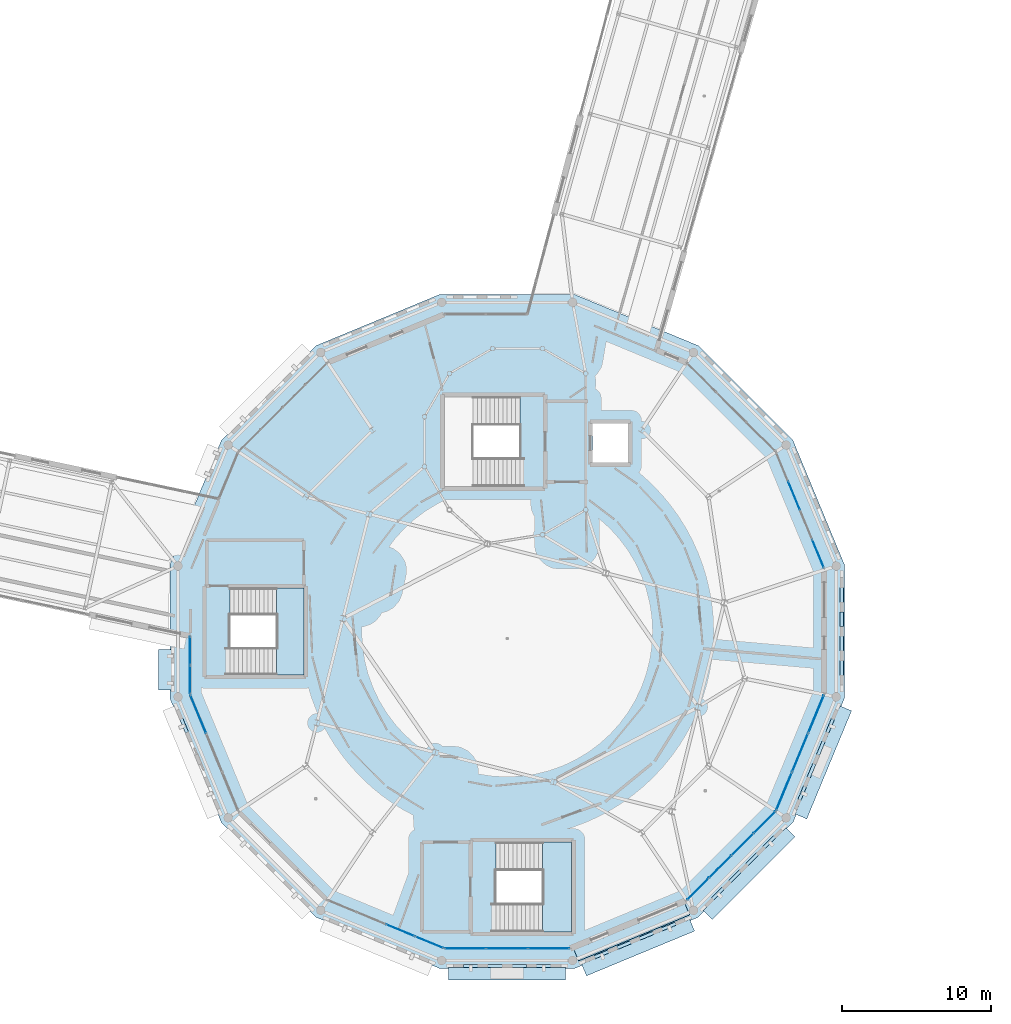
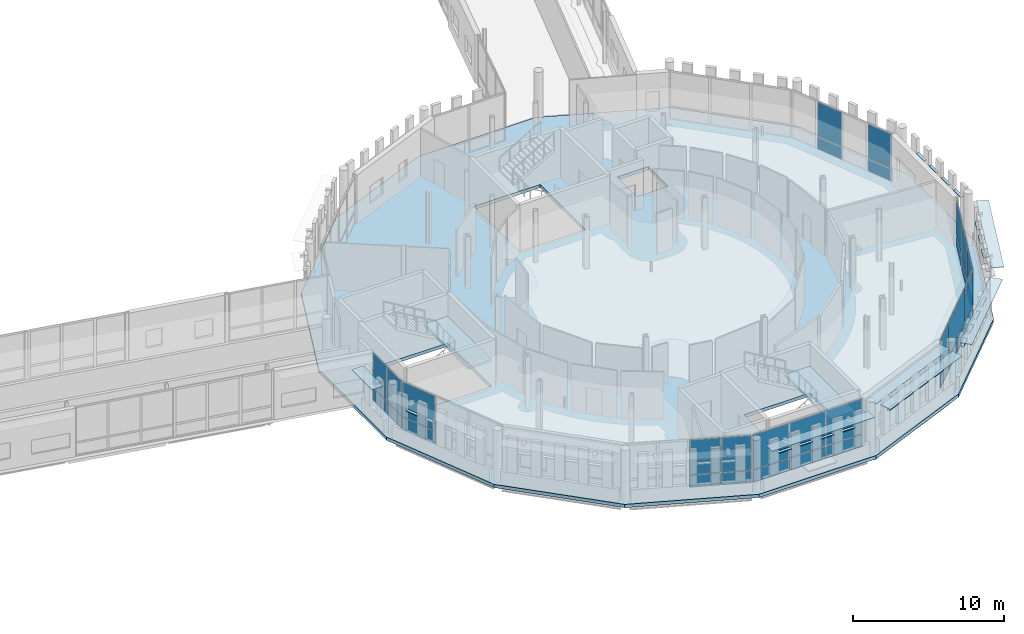
# One storey, part 79 of 125: 61 plates, 3 slabs, 9 elements without a shape of their own.
"""IFC4 building model written with IfcOpenShell, lengths in metres."""

from ifc_helpers import new_model, si_unit, direction, frame, origin, origin_2d, place, context, subcontext, project, spatial, polyline, rectangle, outline, extrude, material, layer, layer_set, type_object, element, aggregate, save


model = new_model("IFC4")

# Units and contexts
model_context = context("Model", 3, precision=1e-05, world=origin(), true_north=direction((0.0, 1.0)))
body_context = subcontext(model_context, "Body", "Model", "MODEL_VIEW")
ifc_project = project(units=[si_unit("LENGTHUNIT", "METRE"), si_unit("AREAUNIT", "SQUARE_METRE"), si_unit("VOLUMEUNIT", "CUBIC_METRE"), si_unit("PLANEANGLEUNIT", "RADIAN"), si_unit("MASSUNIT", "GRAM", prefix="KILO")], contexts=[model_context])

# Site, building, storey
site_placement = place(None, origin())
site = spatial("IfcSite", under=ifc_project, at=site_placement, CompositionType="ELEMENT")
building_placement = place(site_placement, origin())
building = spatial("IfcBuilding", under=site, at=building_placement, Name="Wrenclough Park School", CompositionType="ELEMENT")
storey_placement = place(building_placement, frame((0.0, 0.0, 4.199951171875)))
storey = spatial("IfcBuildingStorey", under=building, at=storey_placement, Name="L01", CompositionType="ELEMENT", Elevation=4.199951171875)

# Curtain wall, plates
ifc_material_1 = material(Name="Thermally broken aluminium and low-e glass curtain wall", Category="aluminium")
curtain_wall_type_1 = type_object("IfcCurtainWallType", Name="ENV-CW-13", PredefinedType="USERDEFINED", material=ifc_material_1)
curtain_wall_1_placement = place(storey_placement, origin())
curtain_wall_1 = element("IfcCurtainWall", 1, at=curtain_wall_1_placement, inside=storey, type_object=curtain_wall_type_1, Name="L01 recessed curtain wall assembly 124", ObjectType="CURTAIN WALL", PredefinedType="USERDEFINED")
ifc_material_2 = material(Name="Double-glazed solar-control low-e glass", Category="glass")
ifc_layer_1 = layer(ifc_material_2, 0.02587890625)
ifc_layer_set_1 = layer_set([ifc_layer_1], Name="Double-glazed solar-control low-e glass")
plate_type_1 = type_object("IfcPlateType", Name="ENV-CWP-GL26", PredefinedType="CURTAIN_PANEL", material=ifc_layer_set_1)
plate_1_placement = place(storey_placement, frame((174.694091796875, 35.591064453125, 0.06494140625), z_axis=(0.0, 0.0, 1.0), x_axis=(0.382686670549, -0.923878191205, 0.0)))
plate_1 = element("IfcPlate", 2, at=plate_1_placement, type_object=plate_type_1, Name="CW-13 panel 2.1", PredefinedType="CURTAIN_PANEL", context=body_context, shape_type="SweptSolid", body=[
    extrude(rectangle(XDim=2.042724609375, YDim=0.02587890625, at=origin_2d()), origin(), (0.0, 0.0, 1.0), 0.952392578125),
])
plate_2_placement = place(storey_placement, frame((174.694091796875, 35.591064453125, 1.08251953125), z_axis=(0.0, 0.0, 1.0), x_axis=(0.382686670549, -0.923878191205, 0.0)))
plate_2 = element("IfcPlate", 3, at=plate_2_placement, type_object=plate_type_1, Name="CW-13 panel 2.2", PredefinedType="CURTAIN_PANEL", context=body_context, shape_type="SweptSolid", body=[
    extrude(rectangle(XDim=2.042724609375, YDim=0.02587890625, at=origin_2d()), origin(), (0.0, 0.0, 1.0), 2.79248046875),
])
plate_3_placement = place(storey_placement, frame((176.301025390625, 31.711669921875, 0.06494140625), z_axis=(0.0, 0.0, 1.0), x_axis=(0.382686670549, -0.923878191205, 0.0)))
plate_3 = element("IfcPlate", 4, at=plate_3_placement, type_object=plate_type_1, Name="CW-13 panel 4.1", PredefinedType="CURTAIN_PANEL", context=body_context, shape_type="SweptSolid", body=[
    extrude(rectangle(XDim=2.01025390625, YDim=0.02587890625, at=origin_2d()), origin(), (0.0, 0.0, 1.0), 0.952392578125),
])
plate_4_placement = place(storey_placement, frame((176.301025390625, 31.711669921875, 1.08251953125), z_axis=(0.0, 0.0, 1.0), x_axis=(0.382686670549, -0.923878191205, 0.0)))
plate_4 = element("IfcPlate", 5, at=plate_4_placement, type_object=plate_type_1, Name="CW-13 panel 4.2", PredefinedType="CURTAIN_PANEL", context=body_context, shape_type="SweptSolid", body=[
    extrude(rectangle(XDim=2.01025390625, YDim=0.02587890625, at=origin_2d()), origin(), (0.0, 0.0, 1.0), 2.79248046875),
])
aggregate(curtain_wall_1, [plate_1, plate_2, plate_3, plate_4])

curtain_wall_type_2 = type_object("IfcCurtainWallType", Name="ENV-CW-01", PredefinedType="USERDEFINED", material=ifc_material_1)
curtain_wall_2_placement = place(storey_placement, origin())
curtain_wall_2 = element("IfcCurtainWall", 6, at=curtain_wall_2_placement, inside=storey, type_object=curtain_wall_type_2, Name="L01 recessed curtain wall assembly 128", ObjectType="CURTAIN WALL", PredefinedType="USERDEFINED")
plate_5_placement = place(storey_placement, frame((150.287109375, 5.699462890625, 0.06982421875), z_axis=(0.0, 0.0, 1.0), x_axis=(-0.923878191205, 0.382686670549, 0.0)))
plate_5 = element("IfcPlate", 7, at=plate_5_placement, type_object=plate_type_1, Name="CW-01 panel 1.1", PredefinedType="CURTAIN_PANEL", context=body_context, shape_type="SweptSolid", body=[
    extrude(rectangle(XDim=2.002685546875, YDim=0.02587890625, at=origin_2d()), origin(), (0.0, 0.0, 1.0), 0.945068359375),
])
plate_6_placement = place(storey_placement, frame((150.287109375, 5.699462890625, 1.0849609375), z_axis=(0.0, 0.0, 1.0), x_axis=(-0.923878191205, 0.382686670549, 0.0)))
plate_6 = element("IfcPlate", 8, at=plate_6_placement, type_object=plate_type_1, Name="CW-01 panel 1.2", PredefinedType="CURTAIN_PANEL", context=body_context, shape_type="SweptSolid", body=[
    extrude(rectangle(XDim=2.002685546875, YDim=0.02587890625, at=origin_2d()), origin(), (0.0, 0.0, 1.0), 2.784912109375),
])
plate_7_placement = place(storey_placement, frame((148.356201171875, 6.499267578125, 0.06982421875), z_axis=(0.0, 0.0, 1.0), x_axis=(-0.923878191205, 0.382686670549, 0.0)))
plate_7 = element("IfcPlate", 9, at=plate_7_placement, type_object=plate_type_1, Name="CW-01 panel 2.1", PredefinedType="CURTAIN_PANEL", context=body_context, shape_type="SweptSolid", body=[
    extrude(rectangle(XDim=2.03759765625, YDim=0.02587890625, at=origin_2d()), origin(), (0.0, 0.0, 1.0), 0.945068359375),
])
plate_8_placement = place(storey_placement, frame((148.356201171875, 6.499267578125, 1.0849609375), z_axis=(0.0, 0.0, 1.0), x_axis=(-0.923878191205, 0.382686670549, 0.0)))
plate_8 = element("IfcPlate", 10, at=plate_8_placement, type_object=plate_type_1, Name="CW-01 panel 2.2", PredefinedType="CURTAIN_PANEL", context=body_context, shape_type="SweptSolid", body=[
    extrude(rectangle(XDim=2.03759765625, YDim=0.02587890625, at=origin_2d()), origin(), (0.0, 0.0, 1.0), 2.784912109375),
])
aggregate(curtain_wall_2, [plate_5, plate_6, plate_7, plate_8])

curtain_wall_type_3 = type_object("IfcCurtainWallType", Name="ENV-CW-02", PredefinedType="USERDEFINED", material=ifc_material_1)
curtain_wall_3_placement = place(storey_placement, origin())
curtain_wall_3 = element("IfcCurtainWall", 11, at=curtain_wall_3_placement, inside=storey, type_object=curtain_wall_type_3, Name="L01 recessed curtain wall assembly 129", ObjectType="CURTAIN WALL", PredefinedType="USERDEFINED")
ifc_material_3 = material(Name="Double-glazed acoustic low-e glass", Category="glass")
ifc_layer_2 = layer(ifc_material_3, 0.030029296875)
ifc_layer_set_2 = layer_set([ifc_layer_2], Name="Double-glazed acoustic low-e glass")
plate_type_2 = type_object("IfcPlateType", Name="ENV-CWP-GL30", PredefinedType="CURTAIN_PANEL", material=ifc_layer_set_2)
plate_9_placement = place(storey_placement, frame((134.832763671875, 20.965087890625, 0.06005859375), z_axis=(0.0, 0.0, 1.0), x_axis=(-0.382686670549, 0.923878191205, 0.0)))
plate_9 = element("IfcPlate", 12, at=plate_9_placement, type_object=plate_type_2, Name="CW-02 panel 3.1", PredefinedType="CURTAIN_PANEL", context=body_context, shape_type="SweptSolid", body=[
    extrude(rectangle(XDim=2.72021484375, YDim=0.030029296875, at=origin_2d()), origin(), (0.0, 0.0, 1.0), 0.9599609375),
])
plate_10_placement = place(storey_placement, frame((134.832763671875, 20.965087890625, 1.080078125), z_axis=(0.0, 0.0, 1.0), x_axis=(-0.382686670549, 0.923878191205, 0.0)))
plate_10 = element("IfcPlate", 13, at=plate_10_placement, type_object=plate_type_2, Name="CW-02 panel 3.2", PredefinedType="CURTAIN_PANEL", context=body_context, shape_type="SweptSolid", body=[
    extrude(rectangle(XDim=2.72021484375, YDim=0.030029296875, at=origin_2d()), origin(), (0.0, 0.0, 1.0), 2.800048828125),
])
aggregate(curtain_wall_3, [plate_9, plate_10])

curtain_wall_type_4 = type_object("IfcCurtainWallType", Name="ENV-CW-03", PredefinedType="USERDEFINED", material=ifc_material_1)
curtain_wall_4_placement = place(storey_placement, origin())
curtain_wall_4 = element("IfcCurtainWall", 14, at=curtain_wall_4_placement, inside=storey, type_object=curtain_wall_type_4, Name="L01 recessed curtain wall assembly 130", ObjectType="CURTAIN WALL", PredefinedType="USERDEFINED")
ifc_material_4 = material(Name="Triple-glazed senior-lab low-e glass", Category="glass")
ifc_layer_3 = layer(ifc_material_4, 0.033935546875)
ifc_layer_set_3 = layer_set([ifc_layer_3], Name="Triple-glazed senior-lab low-e glass")
plate_type_3 = type_object("IfcPlateType", Name="ENV-CWP-GL34", PredefinedType="CURTAIN_PANEL", material=ifc_layer_set_3)
plate_11_placement = place(storey_placement, frame((134.287841796875, 23.27880859375, 0.06494140625), z_axis=(0.0, 0.0, 1.0), x_axis=(0.0, 1.0, 0.0)))
plate_11 = element("IfcPlate", 15, at=plate_11_placement, type_object=plate_type_3, Name="CW-03 panel 1.1", PredefinedType="CURTAIN_PANEL", context=body_context, shape_type="SweptSolid", body=[
    extrude(rectangle(XDim=1.8583984375, YDim=0.033935546875, at=origin_2d()), origin(), (0.0, 0.0, 1.0), 0.952392578125),
])
plate_12_placement = place(storey_placement, frame((134.287841796875, 23.27880859375, 1.08251953125), z_axis=(0.0, 0.0, 1.0), x_axis=(0.0, 1.0, 0.0)))
plate_12 = element("IfcPlate", 16, at=plate_12_placement, type_object=plate_type_3, Name="CW-03 panel 1.2", PredefinedType="CURTAIN_PANEL", context=body_context, shape_type="SweptSolid", body=[
    extrude(rectangle(XDim=1.8583984375, YDim=0.033935546875, at=origin_2d()), origin(), (0.0, 0.0, 1.0), 2.79248046875),
])
plate_13_placement = place(storey_placement, frame((134.287841796875, 25.202392578125, 0.06494140625), z_axis=(0.0, 0.0, 1.0), x_axis=(0.0, 1.0, 0.0)))
plate_13 = element("IfcPlate", 17, at=plate_13_placement, type_object=plate_type_3, Name="CW-03 panel 2.1", PredefinedType="CURTAIN_PANEL", context=body_context, shape_type="SweptSolid", body=[
    extrude(rectangle(XDim=1.8583984375, YDim=0.033935546875, at=origin_2d()), origin(), (0.0, 0.0, 1.0), 0.952392578125),
])
plate_14_placement = place(storey_placement, frame((134.287841796875, 25.202392578125, 1.08251953125), z_axis=(0.0, 0.0, 1.0), x_axis=(0.0, 1.0, 0.0)))
plate_14 = element("IfcPlate", 18, at=plate_14_placement, type_object=plate_type_3, Name="CW-03 panel 2.2", PredefinedType="CURTAIN_PANEL", context=body_context, shape_type="SweptSolid", body=[
    extrude(rectangle(XDim=1.8583984375, YDim=0.033935546875, at=origin_2d()), origin(), (0.0, 0.0, 1.0), 2.79248046875),
])
aggregate(curtain_wall_4, [plate_11, plate_12, plate_13, plate_14])

curtain_wall_type_5 = type_object("IfcCurtainWallType", Name="ENV-CW-14", PredefinedType="USERDEFINED", material=ifc_material_1)
curtain_wall_5_placement = place(storey_placement, origin())
curtain_wall_5 = element("IfcCurtainWall", 19, at=curtain_wall_5_placement, inside=storey, type_object=curtain_wall_type_5, Name="L01 recessed curtain wall assembly 125", ObjectType="CURTAIN WALL", PredefinedType="USERDEFINED")
ifc_material_5 = material(Name="Insulated anodised aluminium spandrel panel", Category="aluminium")
ifc_layer_4 = layer(ifc_material_5, 0.0419921875)
ifc_layer_set_4 = layer_set([ifc_layer_4], Name="Insulated anodised aluminium spandrel panel")
plate_type_4 = type_object("IfcPlateType", Name="ENV-CWP-SP42", PredefinedType="CURTAIN_PANEL", material=ifc_layer_set_4)
plate_15_placement = place(storey_placement, frame((176.166259765625, 20.962646484375, 0.06982421875), z_axis=(0.0, 0.0, 1.0), x_axis=(-0.382686670549, -0.923878191205, 0.0)))
plate_15 = element("IfcPlate", 20, at=plate_15_placement, type_object=plate_type_4, Name="CW-14 panel 1.1", PredefinedType="CURTAIN_PANEL", context=body_context, shape_type="SweptSolid", body=[
    extrude(rectangle(XDim=2.705322265625, YDim=0.0419921875, at=origin_2d()), origin(), (0.0, 0.0, 1.0), 0.945068359375),
])
plate_16_placement = place(storey_placement, frame((176.166259765625, 20.962646484375, 1.0849609375), z_axis=(0.0, 0.0, 1.0), x_axis=(-0.382686670549, -0.923878191205, 0.0)))
plate_16 = element("IfcPlate", 21, at=plate_16_placement, type_object=plate_type_4, Name="CW-14 panel 1.2", PredefinedType="CURTAIN_PANEL", context=body_context, shape_type="SweptSolid", body=[
    extrude(rectangle(XDim=2.705322265625, YDim=0.0419921875, at=origin_2d()), origin(), (0.0, 0.0, 1.0), 2.784912109375),
])
plate_17_placement = place(storey_placement, frame((175.097412109375, 18.382568359375, 0.06982421875), z_axis=(0.0, 0.0, 1.0), x_axis=(-0.382686670549, -0.923878191205, 0.0)))
plate_17 = element("IfcPlate", 22, at=plate_17_placement, type_object=plate_type_4, Name="CW-14 panel 2.1", PredefinedType="CURTAIN_PANEL", context=body_context, shape_type="SweptSolid", body=[
    extrude(rectangle(XDim=2.740234375, YDim=0.0419921875, at=origin_2d()), origin(), (0.0, 0.0, 1.0), 0.945068359375),
])
plate_18_placement = place(storey_placement, frame((175.097412109375, 18.382568359375, 1.0849609375), z_axis=(0.0, 0.0, 1.0), x_axis=(-0.382686670549, -0.923878191205, 0.0)))
plate_18 = element("IfcPlate", 23, at=plate_18_placement, type_object=plate_type_4, Name="CW-14 panel 2.2", PredefinedType="CURTAIN_PANEL", context=body_context, shape_type="SweptSolid", body=[
    extrude(rectangle(XDim=2.740234375, YDim=0.0419921875, at=origin_2d()), origin(), (0.0, 0.0, 1.0), 2.784912109375),
])
plate_19_placement = place(storey_placement, frame((174.02880859375, 15.802490234375, 0.06982421875), z_axis=(0.0, 0.0, 1.0), x_axis=(-0.382686670549, -0.923878191205, 0.0)))
plate_19 = element("IfcPlate", 24, at=plate_19_placement, type_object=plate_type_4, Name="CW-14 panel 3.1", PredefinedType="CURTAIN_PANEL", context=body_context, shape_type="SweptSolid", body=[
    extrude(rectangle(XDim=2.705322265625, YDim=0.0419921875, at=origin_2d()), origin(), (0.0, 0.0, 1.0), 0.945068359375),
])
plate_20_placement = place(storey_placement, frame((174.02880859375, 15.802490234375, 1.0849609375), z_axis=(0.0, 0.0, 1.0), x_axis=(-0.382686670549, -0.923878191205, 0.0)))
plate_20 = element("IfcPlate", 25, at=plate_20_placement, type_object=plate_type_4, Name="CW-14 panel 3.2", PredefinedType="CURTAIN_PANEL", context=body_context, shape_type="SweptSolid", body=[
    extrude(rectangle(XDim=2.705322265625, YDim=0.0419921875, at=origin_2d()), origin(), (0.0, 0.0, 1.0), 2.784912109375),
])
aggregate(curtain_wall_5, [plate_15, plate_16, plate_17, plate_18, plate_19, plate_20])

curtain_wall_type_6 = type_object("IfcCurtainWallType", Name="ENV-CW-15", PredefinedType="USERDEFINED", material=ifc_material_1)
curtain_wall_6_placement = place(storey_placement, origin())
curtain_wall_6 = element("IfcCurtainWall", 26, at=curtain_wall_6_placement, inside=storey, type_object=curtain_wall_type_6, Name="L01 recessed curtain wall assembly 126", ObjectType="CURTAIN WALL", PredefinedType="USERDEFINED")
ifc_material_6 = material(Name="Insulated patinated copper-toned spandrel panel", Category="aluminium")
ifc_layer_5 = layer(ifc_material_6, 0.048095703125)
ifc_layer_set_5 = layer_set([ifc_layer_5], Name="Insulated patinated copper-toned spandrel panel")
plate_type_5 = type_object("IfcPlateType", Name="ENV-CWP-SP48", PredefinedType="CURTAIN_PANEL", material=ifc_layer_set_5)
plate_21_placement = place(storey_placement, frame((172.72412109375, 13.725830078125, 0.06005859375), z_axis=(0.0, 0.0, 1.0), x_axis=(-0.707106781187, -0.707106781187, 0.0)))
plate_21 = element("IfcPlate", 27, at=plate_21_placement, type_object=plate_type_5, Name="CW-15 panel 1.1", PredefinedType="CURTAIN_PANEL", context=body_context, shape_type="SweptSolid", body=[
    extrude(rectangle(XDim=2.017822265625, YDim=0.048095703125, at=origin_2d()), origin(), (0.0, 0.0, 1.0), 0.9599609375),
])
plate_22_placement = place(storey_placement, frame((172.72412109375, 13.725830078125, 1.080078125), z_axis=(0.0, 0.0, 1.0), x_axis=(-0.707106781187, -0.707106781187, 0.0)))
plate_22 = element("IfcPlate", 28, at=plate_22_placement, type_object=plate_type_5, Name="CW-15 panel 1.2", PredefinedType="CURTAIN_PANEL", context=body_context, shape_type="SweptSolid", body=[
    extrude(rectangle(XDim=2.017822265625, YDim=0.048095703125, at=origin_2d()), origin(), (0.0, 0.0, 1.0), 2.800048828125),
])
plate_23_placement = place(storey_placement, frame((171.244384765625, 12.24609375, 0.06005859375), z_axis=(0.0, 0.0, 1.0), x_axis=(-0.707106781187, -0.707106781187, 0.0)))
plate_23 = element("IfcPlate", 29, at=plate_23_placement, type_object=plate_type_5, Name="CW-15 panel 2.1", PredefinedType="CURTAIN_PANEL", context=body_context, shape_type="SweptSolid", body=[
    extrude(rectangle(XDim=2.0478515625, YDim=0.048095703125, at=origin_2d()), origin(), (0.0, 0.0, 1.0), 0.9599609375),
])
plate_24_placement = place(storey_placement, frame((171.244384765625, 12.24609375, 1.080078125), z_axis=(0.0, 0.0, 1.0), x_axis=(-0.707106781187, -0.707106781187, 0.0)))
plate_24 = element("IfcPlate", 30, at=plate_24_placement, type_object=plate_type_5, Name="CW-15 panel 2.2", PredefinedType="CURTAIN_PANEL", context=body_context, shape_type="SweptSolid", body=[
    extrude(rectangle(XDim=2.0478515625, YDim=0.048095703125, at=origin_2d()), origin(), (0.0, 0.0, 1.0), 2.800048828125),
])
plate_25_placement = place(storey_placement, frame((169.75390625, 10.755615234375, 0.06005859375), z_axis=(0.0, 0.0, 1.0), x_axis=(-0.707106781187, -0.707106781187, 0.0)))
plate_25 = element("IfcPlate", 31, at=plate_25_placement, type_object=plate_type_5, Name="CW-15 panel 3.1", PredefinedType="CURTAIN_PANEL", context=body_context, shape_type="SweptSolid", body=[
    extrude(rectangle(XDim=2.0478515625, YDim=0.048095703125, at=origin_2d()), origin(), (0.0, 0.0, 1.0), 0.9599609375),
])
plate_26_placement = place(storey_placement, frame((169.75390625, 10.755615234375, 1.080078125), z_axis=(0.0, 0.0, 1.0), x_axis=(-0.707106781187, -0.707106781187, 0.0)))
plate_26 = element("IfcPlate", 32, at=plate_26_placement, type_object=plate_type_5, Name="CW-15 panel 3.2", PredefinedType="CURTAIN_PANEL", context=body_context, shape_type="SweptSolid", body=[
    extrude(rectangle(XDim=2.0478515625, YDim=0.048095703125, at=origin_2d()), origin(), (0.0, 0.0, 1.0), 2.800048828125),
])
plate_27_placement = place(storey_placement, frame((168.274169921875, 9.27587890625, 0.06005859375), z_axis=(0.0, 0.0, 1.0), x_axis=(-0.707106781187, -0.707106781187, 0.0)))
plate_27 = element("IfcPlate", 33, at=plate_27_placement, type_object=plate_type_5, Name="CW-15 panel 4.1", PredefinedType="CURTAIN_PANEL", context=body_context, shape_type="SweptSolid", body=[
    extrude(rectangle(XDim=2.017822265625, YDim=0.048095703125, at=origin_2d()), origin(), (0.0, 0.0, 1.0), 0.9599609375),
])
plate_28_placement = place(storey_placement, frame((168.274169921875, 9.27587890625, 1.080078125), z_axis=(0.0, 0.0, 1.0), x_axis=(-0.707106781187, -0.707106781187, 0.0)))
plate_28 = element("IfcPlate", 34, at=plate_28_placement, type_object=plate_type_5, Name="CW-15 panel 4.2", PredefinedType="CURTAIN_PANEL", context=body_context, shape_type="SweptSolid", body=[
    extrude(rectangle(XDim=2.017822265625, YDim=0.048095703125, at=origin_2d()), origin(), (0.0, 0.0, 1.0), 2.800048828125),
])
aggregate(curtain_wall_6, [plate_21, plate_22, plate_23, plate_24, plate_25, plate_26, plate_27, plate_28])

curtain_wall_type_7 = type_object("IfcCurtainWallType", Name="ENV-CW-16", PredefinedType="USERDEFINED", material=ifc_material_1)
curtain_wall_7_placement = place(storey_placement, origin())
curtain_wall_7 = element("IfcCurtainWall", 35, at=curtain_wall_7_placement, inside=storey, type_object=curtain_wall_type_7, Name="L01 recessed curtain wall assembly 127", ObjectType="CURTAIN WALL", PredefinedType="USERDEFINED")
ifc_material_7 = material(Name="Acoustic mineral-wool spandrel cassette", Category="aluminium")
ifc_layer_6 = layer(ifc_material_7, 0.053955078125)
ifc_layer_set_6 = layer_set([ifc_layer_6], Name="Acoustic mineral-wool spandrel cassette")
plate_type_6 = type_object("IfcPlateType", Name="ENV-CWP-SP54", PredefinedType="CURTAIN_PANEL", material=ifc_layer_set_6)
plate_29_placement = place(storey_placement, frame((158.2939453125, 5.287841796875, 0.06494140625), z_axis=(0.0, 0.0, 1.0), x_axis=(-1.0, 0.0, 0.0)))
plate_29 = element("IfcPlate", 36, at=plate_29_placement, type_object=plate_type_6, Name="CW-16 panel 1.1", PredefinedType="CURTAIN_PANEL", context=body_context, shape_type="SweptSolid", body=[
    extrude(rectangle(XDim=2.712646484375, YDim=0.053955078125, at=origin_2d()), origin(), (0.0, 0.0, 1.0), 0.952392578125),
])
plate_30_placement = place(storey_placement, frame((158.2939453125, 5.287841796875, 1.08251953125), z_axis=(0.0, 0.0, 1.0), x_axis=(-1.0, 0.0, 0.0)))
plate_30 = element("IfcPlate", 37, at=plate_30_placement, type_object=plate_type_6, Name="CW-16 panel 1.2", PredefinedType="CURTAIN_PANEL", context=body_context, shape_type="SweptSolid", body=[
    extrude(rectangle(XDim=2.712646484375, YDim=0.053955078125, at=origin_2d()), origin(), (0.0, 0.0, 1.0), 2.79248046875),
])
plate_31_placement = place(storey_placement, frame((155.5, 5.287841796875, 0.06494140625), z_axis=(0.0, 0.0, 1.0), x_axis=(-1.0, 0.0, 0.0)))
plate_31 = element("IfcPlate", 38, at=plate_31_placement, type_object=plate_type_6, Name="CW-16 panel 2.1", PredefinedType="CURTAIN_PANEL", context=body_context, shape_type="SweptSolid", body=[
    extrude(rectangle(XDim=2.7451171875, YDim=0.053955078125, at=origin_2d()), origin(), (0.0, 0.0, 1.0), 0.952392578125),
])
plate_32_placement = place(storey_placement, frame((155.5, 5.287841796875, 1.08251953125), z_axis=(0.0, 0.0, 1.0), x_axis=(-1.0, 0.0, 0.0)))
plate_32 = element("IfcPlate", 39, at=plate_32_placement, type_object=plate_type_6, Name="CW-16 panel 2.2", PredefinedType="CURTAIN_PANEL", context=body_context, shape_type="SweptSolid", body=[
    extrude(rectangle(XDim=2.7451171875, YDim=0.053955078125, at=origin_2d()), origin(), (0.0, 0.0, 1.0), 2.79248046875),
])
plate_33_placement = place(storey_placement, frame((152.7060546875, 5.287841796875, 0.06494140625), z_axis=(0.0, 0.0, 1.0), x_axis=(-1.0, 0.0, 0.0)))
plate_33 = element("IfcPlate", 40, at=plate_33_placement, type_object=plate_type_6, Name="CW-16 panel 3.1", PredefinedType="CURTAIN_PANEL", context=body_context, shape_type="SweptSolid", body=[
    extrude(rectangle(XDim=2.712646484375, YDim=0.053955078125, at=origin_2d()), origin(), (0.0, 0.0, 1.0), 0.952392578125),
])
plate_34_placement = place(storey_placement, frame((152.7060546875, 5.287841796875, 1.08251953125), z_axis=(0.0, 0.0, 1.0), x_axis=(-1.0, 0.0, 0.0)))
plate_34 = element("IfcPlate", 41, at=plate_34_placement, type_object=plate_type_6, Name="CW-16 panel 3.2", PredefinedType="CURTAIN_PANEL", context=body_context, shape_type="SweptSolid", body=[
    extrude(rectangle(XDim=2.712646484375, YDim=0.053955078125, at=origin_2d()), origin(), (0.0, 0.0, 1.0), 2.79248046875),
])
aggregate(curtain_wall_7, [plate_29, plate_30, plate_31, plate_32, plate_33, plate_34])

# Plates
ifc_material_8 = material(Name="Anodised architectural aluminium solar shading fin plate", Category="aluminium")
ifc_layer_7 = layer(ifc_material_8, 0.0380859375)
ifc_layer_set_7 = layer_set([ifc_layer_7], Name="Anodised architectural aluminium solar shading fin plate")
plate_type_7 = type_object("IfcPlateType", Name="ENV-PL-BSF", PredefinedType="SHEET", material=ifc_layer_set_7)
plate_35_placement = place(storey_placement, frame((132.6044921875, 23.9453125, 3.700927734375), z_axis=(0.0, 0.0, 1.0), x_axis=(0.0, -1.0, 0.0)))
element("IfcPlate", 42, at=plate_35_placement, inside=storey, type_object=plate_type_7, Name="D1 L01 sun-side projecting brise-soleil blade 0003", PredefinedType="SHEET", context=body_context, shape_type="SweptSolid", body=[
    extrude(rectangle(XDim=2.720458984375, YDim=0.85009765625, at=origin_2d()), origin(), (0.0, 0.0, 1.0), 0.0380859375),
])
for number, where, z_axis, x_axis, name in (
    (43, (133.89208984375, 20.189453125, 2.72216796875), (0.0, 0.0, 1.0), (0.382692183809, -0.923875907496, 0.0), "D1 L01 open-bond brick screen tie band 0141"),
    (44, (153.06103515625, 4.121826171875, 2.72216796875), (0.0, 0.0, 1.0), (1.0, 0.0, 0.0), "D1 L01 open-bond brick screen tie band 0153"),
    (45, (154.68701171875, 4.121826171875, 2.72216796875), (0.0, 0.0, 1.0), (1.0, 0.0, 0.0), "D1 L01 open-bond brick screen tie band 0154"),
    (46, (156.31298828125, 4.121826171875, 2.72216796875), (0.0, 0.0, 1.0), (1.0, 0.0, 0.0), "D1 L01 open-bond brick screen tie band 0155"),
    (47, (157.93896484375, 4.121826171875, 2.72216796875), (0.0, 0.0, 1.0), (1.0, 0.0, 0.0), "D1 L01 open-bond brick screen tie band 0156"),
):
    element("IfcPlate", number, at=place(storey_placement, frame(where, z_axis=z_axis, x_axis=x_axis)), inside=storey, type_object=plate_type_7, Name=name, PredefinedType="SHEET", context=body_context, shape_type="SweptSolid", body=[
        extrude(rectangle(XDim=0.992919921875, YDim=0.219970703125, at=origin_2d()), origin(), (0.0, 0.0, 1.0), 0.0419921875),
    ])
plate_36_placement = place(storey_placement, frame((155.5, 3.6044921875, 3.700927734375), z_axis=(0.0, 0.0, 1.0), x_axis=(1.0, 0.0, 0.0)))
element("IfcPlate", 48, at=plate_36_placement, inside=storey, type_object=plate_type_7, Name="D1 L01 sun-side projecting brise-soleil blade 0007", PredefinedType="SHEET", context=body_context, shape_type="SweptSolid", body=[
    extrude(rectangle(XDim=7.830078125, YDim=0.85009765625, at=origin_2d()), origin(), (0.0, 0.0, 1.0), 0.0380859375),
])
for number, where, z_axis, x_axis, name in (
    (49, (161.810546875, 4.89208984375, 2.72216796875), (0.0, 0.0, 1.0), (0.923875907496, 0.382692183809, 0.0), "D1 L01 open-bond brick screen tie band 0157"),
    (50, (163.312744140625, 5.514404296875, 2.72216796875), (0.0, 0.0, 1.0), (0.923875907496, 0.382692183809, 0.0), "D1 L01 open-bond brick screen tie band 0158"),
    (51, (164.81494140625, 6.136474609375, 2.72216796875), (0.0, 0.0, 1.0), (0.923875907496, 0.382692183809, 0.0), "D1 L01 open-bond brick screen tie band 0159"),
    (52, (166.317138671875, 6.7587890625, 2.72216796875), (0.0, 0.0, 1.0), (0.923875907496, 0.382692183809, 0.0), "D1 L01 open-bond brick screen tie band 0160"),
):
    element("IfcPlate", number, at=place(storey_placement, frame(where, z_axis=z_axis, x_axis=x_axis)), inside=storey, type_object=plate_type_7, Name=name, PredefinedType="SHEET", context=body_context, shape_type="SweptSolid", body=[
        extrude(rectangle(XDim=0.992919921875, YDim=0.219970703125, at=origin_2d()), origin(), (0.0, 0.0, 1.0), 0.0419921875),
    ])
plate_37_placement = place(storey_placement, frame((164.261962890625, 5.347412109375, 3.700927734375), z_axis=(0.0, 0.0, 1.0), x_axis=(0.923875907496, 0.382692183809, 0.0)))
element("IfcPlate", 53, at=plate_37_placement, inside=storey, type_object=plate_type_7, Name="D1 L01 sun-side projecting brise-soleil blade 0008", PredefinedType="SHEET", context=body_context, shape_type="SweptSolid", body=[
    extrude(rectangle(XDim=7.829833984375, YDim=0.85009765625, at=origin_2d()), origin(), (0.0, 0.0, 1.0), 0.0380859375),
])
for number, where, z_axis, x_axis, name in (
    (54, (169.59912109375, 8.951904296875, 2.72216796875), (0.0, 0.0, 1.0), (0.707106781187, 0.707106781187, 0.0), "D1 L01 open-bond brick screen tie band 0161"),
    (55, (170.748779296875, 10.1015625, 2.72216796875), (0.0, 0.0, 1.0), (0.707106781187, 0.707106781187, 0.0), "D1 L01 open-bond brick screen tie band 0162"),
    (56, (171.8984375, 11.251220703125, 2.72216796875), (0.0, 0.0, 1.0), (0.707106781187, 0.707106781187, 0.0), "D1 L01 open-bond brick screen tie band 0163"),
    (57, (173.048095703125, 12.40087890625, 2.72216796875), (0.0, 0.0, 1.0), (0.707106781187, 0.707106781187, 0.0), "D1 L01 open-bond brick screen tie band 0164"),
):
    element("IfcPlate", number, at=place(storey_placement, frame(where, z_axis=z_axis, x_axis=x_axis)), inside=storey, type_object=plate_type_7, Name=name, PredefinedType="SHEET", context=body_context, shape_type="SweptSolid", body=[
        extrude(rectangle(XDim=0.992919921875, YDim=0.219970703125, at=origin_2d()), origin(), (0.0, 0.0, 1.0), 0.0419921875),
    ])
plate_38_placement = place(storey_placement, frame((171.689697265625, 10.310302734375, 3.700927734375), z_axis=(0.0, 0.0, 1.0), x_axis=(0.707106781187, 0.707106781187, 0.0)))
element("IfcPlate", 58, at=plate_38_placement, inside=storey, type_object=plate_type_7, Name="D1 L01 sun-side projecting brise-soleil blade 0009", PredefinedType="SHEET", context=body_context, shape_type="SweptSolid", body=[
    extrude(rectangle(XDim=7.82958984375, YDim=0.85009765625, at=origin_2d()), origin(), (0.0, 0.0, 1.0), 0.0380859375),
])
for number, where, z_axis, x_axis, name in (
    (59, (175.2412109375, 15.682861328125, 2.72216796875), (0.0, 0.0, 1.0), (0.382692183809, 0.923875907496, 0.0), "D1 L01 open-bond brick screen tie band 0165"),
    (60, (175.863525390625, 17.18505859375, 2.72216796875), (0.0, 0.0, 1.0), (0.382692183809, 0.923875907496, 0.0), "D1 L01 open-bond brick screen tie band 0166"),
    (61, (176.485595703125, 18.687255859375, 2.72216796875), (0.0, 0.0, 1.0), (0.382692183809, 0.923875907496, 0.0), "D1 L01 open-bond brick screen tie band 0167"),
    (62, (177.10791015625, 20.189453125, 2.72216796875), (0.0, 0.0, 1.0), (0.382692183809, 0.923875907496, 0.0), "D1 L01 open-bond brick screen tie band 0168"),
):
    element("IfcPlate", number, at=place(storey_placement, frame(where, z_axis=z_axis, x_axis=x_axis)), inside=storey, type_object=plate_type_7, Name=name, PredefinedType="SHEET", context=body_context, shape_type="SweptSolid", body=[
        extrude(rectangle(XDim=0.992919921875, YDim=0.219970703125, at=origin_2d()), origin(), (0.0, 0.0, 1.0), 0.0419921875),
    ])
plate_39_placement = place(storey_placement, frame((176.652587890625, 17.738037109375, 3.700927734375), z_axis=(0.0, 0.0, 1.0), x_axis=(0.382692183809, 0.923875907496, 0.0)))
element("IfcPlate", 63, at=plate_39_placement, inside=storey, type_object=plate_type_7, Name="D1 L01 sun-side projecting brise-soleil blade 0010", PredefinedType="SHEET", context=body_context, shape_type="SweptSolid", body=[
    extrude(rectangle(XDim=7.829833984375, YDim=0.85009765625, at=origin_2d()), origin(), (0.0, 0.0, 1.0), 0.0380859375),
])
for number, where, z_axis, x_axis, name in (
    (64, (177.878173828125, 24.06103515625, 2.72216796875), (0.0, 0.0, 1.0), (0.0, 1.0, 0.0), "D1 L01 open-bond brick screen tie band 0169"),
    (65, (177.878173828125, 25.68701171875, 2.72216796875), (0.0, 0.0, 1.0), (0.0, 1.0, 0.0), "D1 L01 open-bond brick screen tie band 0170"),
    (66, (177.878173828125, 27.31298828125, 2.72216796875), (0.0, 0.0, 1.0), (0.0, 1.0, 0.0), "D1 L01 open-bond brick screen tie band 0171"),
    (67, (177.878173828125, 28.93896484375, 2.72216796875), (0.0, 0.0, 1.0), (0.0, 1.0, 0.0), "D1 L01 open-bond brick screen tie band 0172"),
):
    element("IfcPlate", number, at=place(storey_placement, frame(where, z_axis=z_axis, x_axis=x_axis)), inside=storey, type_object=plate_type_7, Name=name, PredefinedType="SHEET", context=body_context, shape_type="SweptSolid", body=[
        extrude(rectangle(XDim=0.992919921875, YDim=0.219970703125, at=origin_2d()), origin(), (0.0, 0.0, 1.0), 0.0419921875),
    ])
plate_40_placement = place(storey_placement, frame((163.84033203125, 6.364501953125, 3.720947265625), z_axis=(0.0, 0.0, 1.0), x_axis=(-0.923880923331, -0.382680074611, 0.0)))
element("IfcPlate", 68, at=plate_40_placement, inside=storey, type_object=plate_type_7, Name="L01 link wing sun-side brise-soleil blade 0156", PredefinedType="SHEET", context=body_context, shape_type="SweptSolid", body=[
    extrude(rectangle(XDim=8.03857421875, YDim=0.800048828125, at=origin_2d()), origin(), (0.0, 0.0, 1.0), 0.0380859375),
])

# Stair, slab
ifc_material_9 = material(Name="Precast concrete C40/50", Category="concrete")
stair_type_1 = type_object("IfcStairType", Name="INT-ST-190-42", PredefinedType="HALF_TURN_STAIR", material=ifc_material_9)
stair_1_placement = place(storey_placement, origin())
stair_1 = element("IfcStair", 69, at=stair_1_placement, inside=storey, type_object=stair_type_1, Name="L01 escape stair ST-09", PredefinedType="HALF_TURN_STAIR")
ifc_layer_8 = layer(ifc_material_9, 0.195068359375)
ifc_layer_set_8 = layer_set([ifc_layer_8], Name="Precast concrete C40/50")
slab_type_1 = type_object("IfcSlabType", Name="INT-SL-LAND195", PredefinedType="LANDING", material=ifc_layer_set_8)
slab_1_placement = place(storey_placement, frame((0.0, 0.0, 1.989013671875)))
slab_1 = element("IfcSlab", 70, at=slab_1_placement, type_object=slab_type_1, Name="ST-09 landing 1", PredefinedType="LANDING", context=body_context, shape_type="SweptSolid", body=[
    extrude(outline(polyline([(157.876953125, 6.39990234375), (159.800048828125, 6.39990234375), (159.800048828125, 12.39990234375), (157.876953125, 12.39990234375), (157.876953125, 6.39990234375)])), origin(), (0.0, 0.0, 1.0), 0.195068359375),
])
aggregate(stair_1, [slab_1])

stair_type_2 = type_object("IfcStairType", Name="INT-ST-180-42", PredefinedType="HALF_TURN_STAIR", material=ifc_material_9)
stair_2_placement = place(storey_placement, origin())
stair_2 = element("IfcStair", 71, at=stair_2_placement, inside=storey, type_object=stair_type_2, Name="L01 escape stair ST-12", PredefinedType="HALF_TURN_STAIR")
slab_2_placement = place(storey_placement, frame((0.0, 0.0, 1.989013671875)))
slab_2 = element("IfcSlab", 72, at=slab_2_placement, type_object=slab_type_1, Name="ST-12 landing 1", PredefinedType="LANDING", context=body_context, shape_type="SweptSolid", body=[
    extrude(outline(polyline([(140.076904296875, 23.60009765625), (141.89990234375, 23.60009765625), (141.89990234375, 29.39990234375), (140.076904296875, 29.39990234375), (140.076904296875, 23.60009765625)])), origin(), (0.0, 0.0, 1.0), 0.195068359375),
])
aggregate(stair_2, [slab_2])

# Slab
ifc_material_10 = material(Name="Concrete C35/45", Category="concrete")
ifc_layer_9 = layer(ifc_material_10, 0.264892578125)
ifc_layer_set_9 = layer_set([ifc_layer_9], Name="Concrete C35/45")
slab_type_2 = type_object("IfcSlabType", Name="STR-SL-FL265", PredefinedType="FLOOR", material=ifc_layer_set_9)
slab_3_placement = place(storey_placement, frame((0.0, 0.0, -0.264892578125)))
element("IfcSlab", 73, at=slab_3_placement, inside=storey, type_object=slab_type_2, Name="D1 L01 structural slab SLAB-D1-L01", PredefinedType="FLOOR", context=body_context, shape_type="SweptSolid", body=[
    extrude(outline(polyline([(178.05810546875, 30.987060546875), (174.623779296875, 39.278076171875), (168.278076171875, 45.623779296875), (159.987060546875, 49.05810546875), (151.012939453125, 49.05810546875), (142.721923828125, 45.623779296875), (136.376220703125, 39.278076171875), (132.94189453125, 30.987060546875), (132.94189453125, 22.012939453125), (136.376220703125, 13.721923828125), (142.721923828125, 7.376220703125), (151.012939453125, 3.94189453125), (159.987060546875, 3.94189453125), (168.278076171875, 7.376220703125), (174.623779296875, 13.721923828125), (178.05810546875, 22.012939453125), (178.05810546875, 30.987060546875)]), holes=[polyline([(151.300048828125, 36.199951171875), (156.35205078125, 36.199951171875), (156.35205078125, 42.199951171875), (151.300048828125, 42.199951171875), (151.300048828125, 36.199951171875)]), polyline([(161.199951171875, 37.800048828125), (163.60009765625, 37.800048828125), (163.60009765625, 40.39990234375), (161.199951171875, 40.39990234375), (161.199951171875, 37.800048828125)]), polyline([(154.748046875, 6.39990234375), (159.800048828125, 6.39990234375), (159.800048828125, 12.39990234375), (154.748046875, 12.39990234375), (154.748046875, 6.39990234375)]), polyline([(136.947998046875, 23.60009765625), (141.89990234375, 23.60009765625), (141.89990234375, 29.39990234375), (136.947998046875, 29.39990234375), (136.947998046875, 23.60009765625)])]), origin(), (0.0, 0.0, 1.0), 0.264892578125),
])

save(model, "model.ifc")
